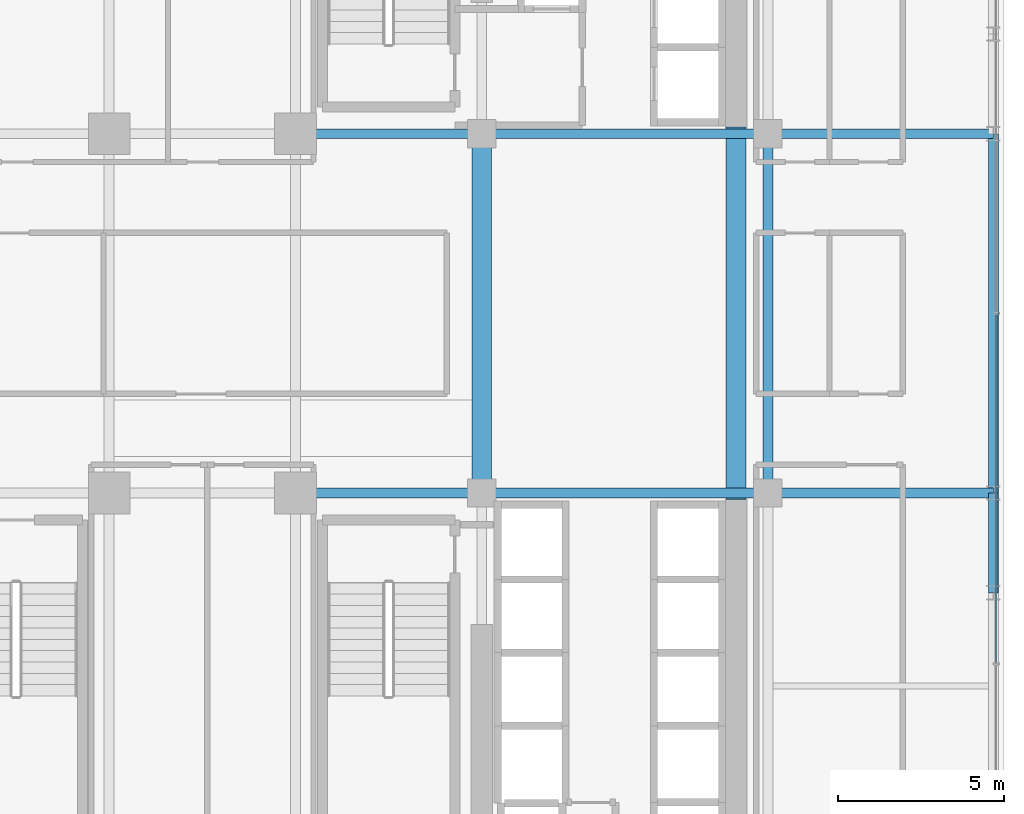
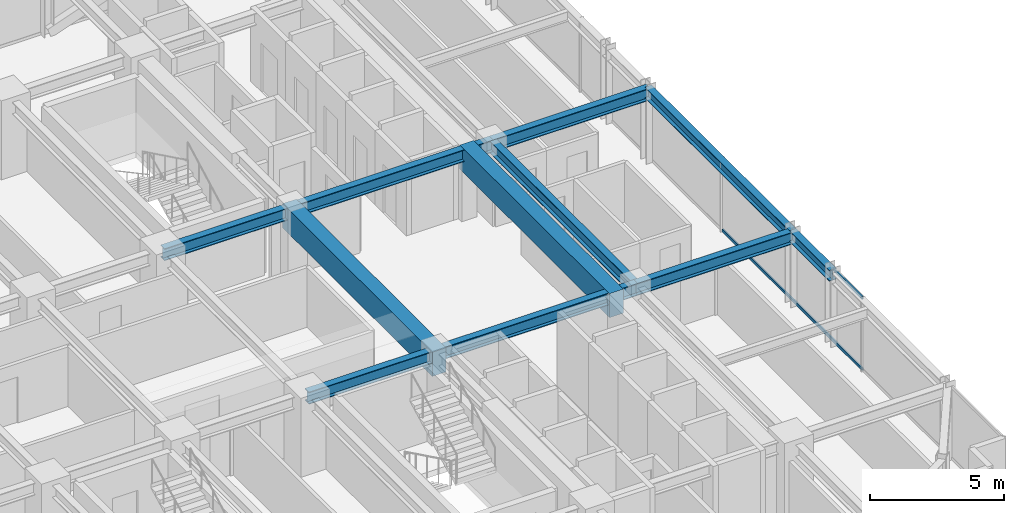
# One storey, part 14 of 40: 11 beams, 2 members, 1 element without a shape of its own.
"""IFC4 building model written with IfcOpenShell, lengths in metres."""

from ifc_helpers import new_model, si_unit, direction, frame, origin, origin_2d, place, context, subcontext, project, spatial, rectangle, hollow_rectangle, i_section, extrude, source, transform, mapped, material, material_profile, profile_set, type_object, element, aggregate, save


model = new_model("IFC4")

# Units and contexts
model_context = context("Model", 3, precision=1e-05, world=origin(), true_north=direction((0.0, 1.0)))
body_context = subcontext(model_context, "Body", "Model", "MODEL_VIEW")
ifc_project = project(units=[si_unit("LENGTHUNIT", "METRE"), si_unit("AREAUNIT", "SQUARE_METRE"), si_unit("VOLUMEUNIT", "CUBIC_METRE"), si_unit("PLANEANGLEUNIT", "RADIAN"), si_unit("MASSUNIT", "GRAM", prefix="KILO")], contexts=[model_context])

# Site, building, storey
site_placement = place(None, origin())
site = spatial("IfcSite", under=ifc_project, at=site_placement, CompositionType="ELEMENT")
building_placement = place(site_placement, origin())
building = spatial("IfcBuilding", under=site, at=building_placement, Name="Nahalor Promenade Grand Hotel", CompositionType="ELEMENT")
storey_placement = place(building_placement, frame((0.0, 0.0, 91.949951171875)))
storey = spatial("IfcBuildingStorey", under=building, at=storey_placement, Name="L22", CompositionType="ELEMENT", Elevation=91.949951171875)

# Beams
ifc_material_1 = material(Name="Concrete B-60 (C50/60)", Category="concrete")
ifc_material_profile_1 = material_profile(ifc_material_1, rectangle(XDim=0.6, YDim=1.1, at=origin_2d()), Name="RC 600x1100")
ifc_profile_set_1 = profile_set([ifc_material_profile_1], Name="Concrete B-60 (C50/60)")
beam_type_1 = type_object("IfcBeamType", Name="Beam-Lintel-RC1100", PredefinedType="LINTEL", material=ifc_profile_set_1)
shared_shape_1 = source(origin(), body_context, "Body", "SweptSolid", [
    extrude(rectangle(XDim=0.6, YDim=1.1, at=origin_2d()), origin(), (0.0, 0.0, 1.0), 11.2001953125),
])
for number, where, z_axis, x_axis, name in (
    (1, (8.39990234375, -5.60009765625, 2.830078125), (0.0, 1.0, 0.0), (-1.0, 0.0, 0.0), "BM-L22-LINT-W"),
    (2, (16.050048828125, -5.60009765625, 2.830078125), (0.0, 1.0, 0.0), (-1.0, 0.0, 0.0), "BM-L22-LINT-E"),
):
    element("IfcBeam", number, at=place(storey_placement, frame(where, z_axis=z_axis, x_axis=x_axis)), inside=storey, type_object=beam_type_1, Name=name, PredefinedType="LINTEL", context=body_context, shape_type="MappedRepresentation", body=[
        mapped(shared_shape_1, transform((0.0, 0.0, 0.0), scale=1.0)),
    ])
ifc_material_2 = material(Name="Steel S355JR", Category="steel")
ifc_material_profile_2 = material_profile(ifc_material_2, i_section(OverallWidth=0.3, OverallDepth=0.5, WebThickness=0.0145, FlangeThickness=0.028, at=origin_2d()), Name="HEB 500")
ifc_profile_set_2 = profile_set([ifc_material_profile_2], Name="Steel S355JR")
beam_type_2 = type_object("IfcBeamType", Name="Beam-Spandrel-HEB500", PredefinedType="SPANDREL", material=ifc_profile_set_2)
shared_shape_2 = source(origin(), body_context, "Body", "SweptSolid", [
    extrude(i_section(OverallWidth=0.3, OverallDepth=0.5, WebThickness=0.0145, FlangeThickness=0.028, at=origin_2d()), origin(), (0.0, 0.0, 1.0), 3.0),
])
beam_1_placement = place(storey_placement, frame((23.780029296875, -8.39990234375, 3.130126953125), z_axis=(0.0, 1.0, 0.0), x_axis=(-1.0, 0.0, 0.0)))
element("IfcBeam", 3, at=beam_1_placement, inside=storey, type_object=beam_type_2, Name="BM-L22-SP-E-1", PredefinedType="SPANDREL", context=body_context, shape_type="MappedRepresentation", body=[
    mapped(shared_shape_2, transform((0.0, 0.0, 0.0), scale=1.0)),
])
shared_shape_3 = source(origin(), body_context, "Body", "SweptSolid", [
    extrude(i_section(OverallWidth=0.3, OverallDepth=0.5, WebThickness=0.0145, FlangeThickness=0.028, at=origin_2d()), origin(), (0.0, 0.0, 1.0), 10.7998046875),
])
beam_2_placement = place(storey_placement, frame((23.780029296875, -5.39990234375, 3.130126953125), z_axis=(0.0, 1.0, 0.0), x_axis=(-1.0, 0.0, 0.0)))
element("IfcBeam", 4, at=beam_2_placement, inside=storey, type_object=beam_type_2, Name="BM-L22-SP-E-2", PredefinedType="SPANDREL", context=body_context, shape_type="MappedRepresentation", body=[
    mapped(shared_shape_3, transform((0.0, 0.0, 0.0), scale=1.0)),
])
ifc_material_profile_3 = material_profile(ifc_material_2, i_section(OverallWidth=0.3, OverallDepth=0.55, WebThickness=0.015, FlangeThickness=0.029, at=origin_2d()), Name="HEB 550")
ifc_profile_set_3 = profile_set([ifc_material_profile_3], Name="Steel S355JR")
beam_type_3 = type_object("IfcBeamType", Name="Beam-Girder-HEB550", PredefinedType="BEAM", material=ifc_profile_set_3)
shared_shape_4 = source(origin(), body_context, "Body", "SweptSolid", [
    extrude(i_section(OverallWidth=0.3, OverallDepth=0.55, WebThickness=0.015, FlangeThickness=0.029, at=origin_2d()), origin(), (0.0, 0.0, 1.0), 6.780029296875),
])
for number, where, z_axis, x_axis, name in (
    (5, (17.0, -5.39990234375, 3.10498046875), (1.0, 0.0, 0.0), (0.0, 1.0, 0.0), "BM-L22-GX-1-6"),
    (6, (17.0, 5.39990234375, 3.10498046875), (1.0, 0.0, 0.0), (0.0, 1.0, 0.0), "BM-L22-GX-2-6"),
):
    element("IfcBeam", number, at=place(storey_placement, frame(where, z_axis=z_axis, x_axis=x_axis)), inside=storey, type_object=beam_type_3, Name=name, PredefinedType="BEAM", context=body_context, shape_type="MappedRepresentation", body=[
        mapped(shared_shape_4, transform((0.0, 0.0, 0.0), scale=1.0)),
    ])
shared_shape_5 = source(origin(), body_context, "Body", "SweptSolid", [
    extrude(i_section(OverallWidth=0.3, OverallDepth=0.55, WebThickness=0.015, FlangeThickness=0.029, at=origin_2d()), origin(), (0.0, 0.0, 1.0), 8.60009765625),
])
for number, where, z_axis, x_axis, name in (
    (7, (8.39990234375, -5.39990234375, 3.10498046875), (1.0, 0.0, 0.0), (0.0, 1.0, 0.0), "BM-L22-GX-1-5"),
    (8, (8.39990234375, 5.39990234375, 3.10498046875), (1.0, 0.0, 0.0), (0.0, 1.0, 0.0), "BM-L22-GX-2-5"),
):
    element("IfcBeam", number, at=place(storey_placement, frame(where, z_axis=z_axis, x_axis=x_axis)), inside=storey, type_object=beam_type_3, Name=name, PredefinedType="BEAM", context=body_context, shape_type="MappedRepresentation", body=[
        mapped(shared_shape_5, transform((0.0, 0.0, 0.0), scale=1.0)),
    ])
shared_shape_6 = source(origin(), body_context, "Body", "SweptSolid", [
    extrude(i_section(OverallWidth=0.3, OverallDepth=0.55, WebThickness=0.015, FlangeThickness=0.029, at=origin_2d()), origin(), (0.0, 0.0, 1.0), 5.599853515625),
])
for number, where, z_axis, x_axis, name in (
    (9, (2.800048828125, -5.39990234375, 3.10498046875), (1.0, 0.0, 0.0), (0.0, 1.0, 0.0), "BM-L22-GX-1-4"),
    (10, (2.800048828125, 5.39990234375, 3.10498046875), (1.0, 0.0, 0.0), (0.0, 1.0, 0.0), "BM-L22-GX-2-4"),
):
    element("IfcBeam", number, at=place(storey_placement, frame(where, z_axis=z_axis, x_axis=x_axis)), inside=storey, type_object=beam_type_3, Name=name, PredefinedType="BEAM", context=body_context, shape_type="MappedRepresentation", body=[
        mapped(shared_shape_6, transform((0.0, 0.0, 0.0), scale=1.0)),
    ])
shared_shape_7 = source(origin(), body_context, "Body", "SweptSolid", [
    extrude(i_section(OverallWidth=0.3, OverallDepth=0.55, WebThickness=0.015, FlangeThickness=0.029, at=origin_2d()), origin(), (0.0, 0.0, 1.0), 10.7998046875),
])
beam_3_placement = place(storey_placement, frame((17.0, -5.39990234375, 3.10498046875), z_axis=(0.0, 1.0, 0.0), x_axis=(-1.0, 0.0, 0.0)))
element("IfcBeam", 11, at=beam_3_placement, inside=storey, type_object=beam_type_3, Name="BM-L22-GY-5-2", PredefinedType="BEAM", context=body_context, shape_type="MappedRepresentation", body=[
    mapped(shared_shape_7, transform((0.0, 0.0, 0.0), scale=1.0)),
])

# Curtain wall, members
ifc_material_3 = material(Name="Anodised Bronze Aluminium EN AW-6063 T6", Category="aluminium")
curtain_wall_type = type_object("IfcCurtainWallType", Name="CW2 Typical Hotel Flush Bronze Unitised Curtain Wall", PredefinedType="USERDEFINED", material=ifc_material_3)
curtain_wall_placement = place(storey_placement, origin())
curtain_wall = element("IfcCurtainWall", 12, at=curtain_wall_placement, inside=storey, type_object=curtain_wall_type, Name="L22 Curtain Wall CW-L22-E-1", ObjectType="UNITISED_CURTAIN_WALL", PredefinedType="USERDEFINED")
ifc_material_profile_4 = material_profile(ifc_material_3, hollow_rectangle(XDim=0.065, YDim=0.13, WallThickness=0.004, at=origin_2d()), Name="CWT 65x130x4")
ifc_profile_set_4 = profile_set([ifc_material_profile_4], Name="Anodised Bronze Aluminium EN AW-6063 T6")
member_type = type_object("IfcMemberType", Name="CWT2 Typical Bronze Transom 65x130", PredefinedType="USERDEFINED", material=ifc_profile_set_4)
shared_shape_8 = source(origin(), body_context, "Body", "SweptSolid", [
    extrude(hollow_rectangle(XDim=0.065, YDim=0.13, WallThickness=0.004, at=origin_2d()), origin(), (0.0, 0.0, 1.0), 10.465087890625),
])
member_1_placement = place(storey_placement, frame((23.860107421875, -10.49755859375, 0.06494140625), z_axis=(0.0, 1.0, 0.0), x_axis=(-1.0, 0.0, 0.0)))
member_1 = element("IfcMember", 13, at=member_1_placement, type_object=member_type, Name="CW-L22-E-1 Transom 1-0", ObjectType="TRANSOM", PredefinedType="USERDEFINED", context=body_context, shape_type="MappedRepresentation", body=[
    mapped(shared_shape_8, transform((0.0, 0.0, 0.0), scale=1.0)),
])
member_2_placement = place(storey_placement, frame((23.860107421875, -10.49755859375, 3.31494140625), z_axis=(0.0, 1.0, 0.0), x_axis=(-1.0, 0.0, 0.0)))
member_2 = element("IfcMember", 14, at=member_2_placement, type_object=member_type, Name="CW-L22-E-1 Transom 1-1", ObjectType="TRANSOM", PredefinedType="USERDEFINED", context=body_context, shape_type="MappedRepresentation", body=[
    mapped(shared_shape_8, transform((0.0, 0.0, 0.0), scale=1.0)),
])
aggregate(curtain_wall, [member_1, member_2])

save(model, "model.ifc")
